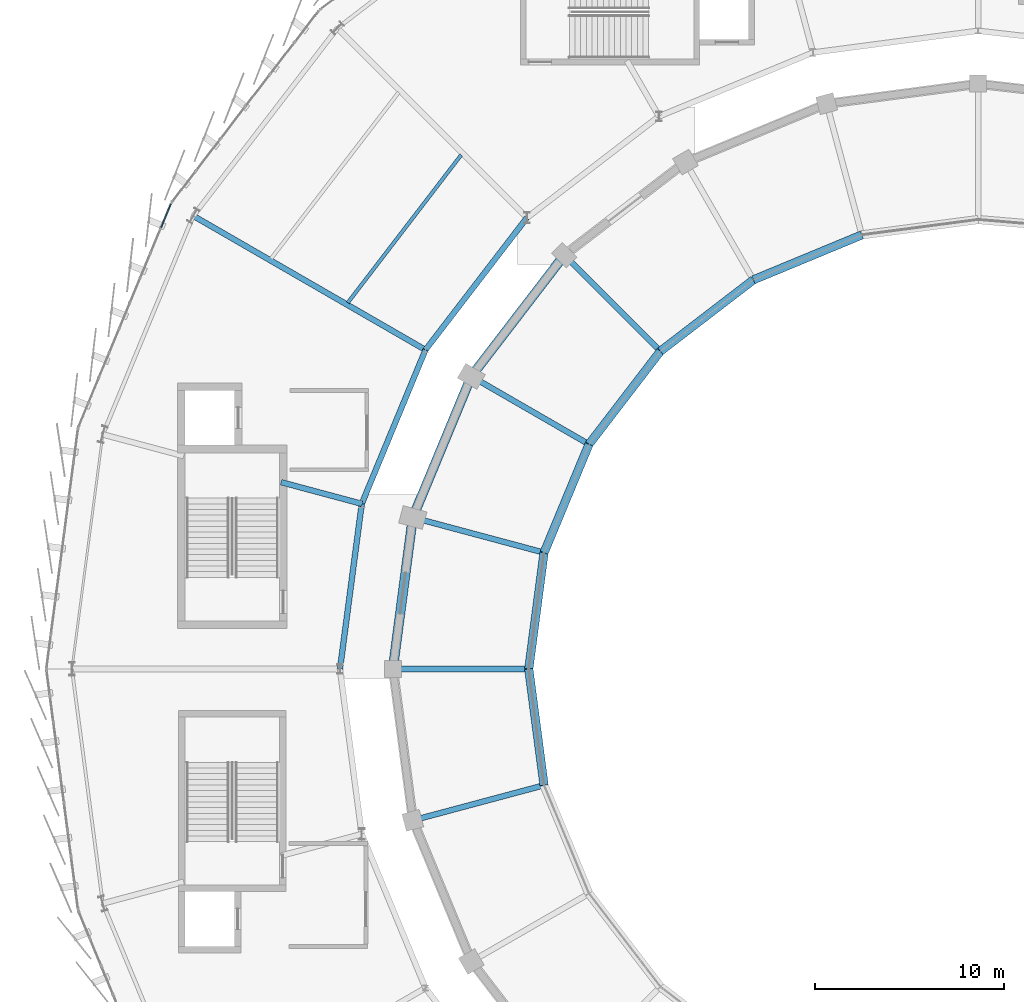
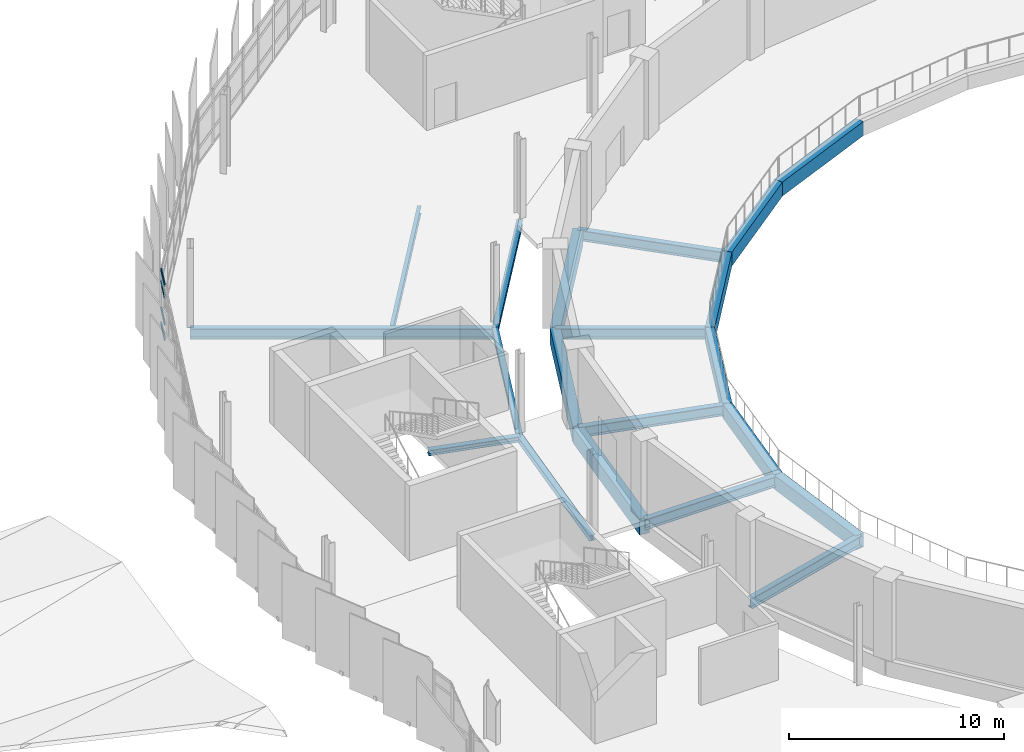
# One storey, part 29 of 87: 20 beams, 4 members, 1 element without a shape of its own.
"""IFC4 building model written with IfcOpenShell, lengths in metres."""

from ifc_helpers import new_model, si_unit, direction, frame, origin, origin_2d, place, context, subcontext, project, spatial, rectangle, i_section, extrude, material, layer, layer_set, material_profile, profile_set, type_object, element, aggregate, save


model = new_model("IFC4")

# Units and contexts
model_context = context("Model", 3, precision=1e-05, world=origin(), true_north=direction((0.0, 1.0)))
body_context = subcontext(model_context, "Body", "Model", "MODEL_VIEW")
ifc_project = project(units=[si_unit("LENGTHUNIT", "METRE"), si_unit("AREAUNIT", "SQUARE_METRE"), si_unit("VOLUMEUNIT", "CUBIC_METRE"), si_unit("PLANEANGLEUNIT", "RADIAN"), si_unit("MASSUNIT", "GRAM", prefix="KILO")], contexts=[model_context])

# Site, building, storey
site_placement = place(None, origin())
site = spatial("IfcSite", under=ifc_project, at=site_placement, CompositionType="ELEMENT")
building_placement = place(site_placement, origin())
building = spatial("IfcBuilding", under=site, at=building_placement, Name="Sohan Crest Arena", CompositionType="ELEMENT")
storey_placement = place(building_placement, frame((0.0, 0.0, 18.0)))
storey = spatial("IfcBuildingStorey", under=building, at=storey_placement, Name="L04", CompositionType="ELEMENT", Elevation=18.0)

# Curtain wall, members
ifc_material_1 = material(Name="Thermally broken anodised aluminium", Category="aluminium")
ifc_layer = layer(ifc_material_1, 0.18994140625, Name="Thermally broken anodised aluminium")
ifc_layer_set = layer_set([ifc_layer], Name="Thermally broken anodised aluminium")
curtain_wall_type = type_object("IfcCurtainWallType", Name="ARC-CW05", PredefinedType="NOTDEFINED", material=ifc_layer_set)
curtain_wall_placement = place(storey_placement, origin())
curtain_wall = element("IfcCurtainWall", 1, at=curtain_wall_placement, inside=storey, type_object=curtain_wall_type, Name="Unitised curtain wall CW-116", PredefinedType="NOTDEFINED")
ifc_material_profile_1 = material_profile(ifc_material_1, rectangle(XDim=0.06494140625, YDim=0.139892578125, at=origin_2d()), Name="ALU-TRAN 65x140")
ifc_profile_set_1 = profile_set([ifc_material_profile_1], Name="Thermally broken anodised aluminium")
member_type = type_object("IfcMemberType", Name="ARC-CW-TR02", PredefinedType="USERDEFINED", material=ifc_profile_set_1)
member_1_placement = place(storey_placement, frame((55.239013671875, 102.61962890625, 0.032470703125), z_axis=(-0.382753642759, -0.923850447288, 0.0), x_axis=(0.923850447288, -0.382753642759, 0.0)))
member_1 = element("IfcMember", 2, at=member_1_placement, type_object=member_type, Name="CW-116 transom 1.1", ObjectType="TRANSOM", PredefinedType="USERDEFINED", context=body_context, shape_type="SweptSolid", body=[
    extrude(rectangle(XDim=0.06494140625, YDim=0.139892578125, at=origin_2d()), origin(), (0.0, 0.0, 1.0), 1.34130859375),
])
member_2_placement = place(storey_placement, frame((55.239013671875, 102.61962890625, 0.89990234375), z_axis=(-0.382753642759, -0.923850447288, 0.0), x_axis=(0.923850447288, -0.382753642759, 0.0)))
member_2 = element("IfcMember", 3, at=member_2_placement, type_object=member_type, Name="CW-116 transom 1.2", ObjectType="TRANSOM", PredefinedType="USERDEFINED", context=body_context, shape_type="SweptSolid", body=[
    extrude(rectangle(XDim=0.06494140625, YDim=0.139892578125, at=origin_2d()), origin(), (0.0, 0.0, 1.0), 1.34130859375),
])
member_3_placement = place(storey_placement, frame((55.239013671875, 102.61962890625, 2.419921875), z_axis=(-0.382753642759, -0.923850447288, 0.0), x_axis=(0.923850447288, -0.382753642759, 0.0)))
member_3 = element("IfcMember", 4, at=member_3_placement, type_object=member_type, Name="CW-116 transom 1.3", ObjectType="TRANSOM", PredefinedType="USERDEFINED", context=body_context, shape_type="SweptSolid", body=[
    extrude(rectangle(XDim=0.06494140625, YDim=0.139892578125, at=origin_2d()), origin(), (0.0, 0.0, 1.0), 1.34130859375),
])
member_4_placement = place(storey_placement, frame((55.239013671875, 102.61962890625, 3.08740234375), z_axis=(-0.382753642759, -0.923850447288, 0.0), x_axis=(0.923850447288, -0.382753642759, 0.0)))
member_4 = element("IfcMember", 5, at=member_4_placement, type_object=member_type, Name="CW-116 transom 1.4", ObjectType="TRANSOM", PredefinedType="USERDEFINED", context=body_context, shape_type="SweptSolid", body=[
    extrude(rectangle(XDim=0.06494140625, YDim=0.139892578125, at=origin_2d()), origin(), (0.0, 0.0, 1.0), 1.34130859375),
])
aggregate(curtain_wall, [member_1, member_2, member_3, member_4])

# Beams
ifc_material_2 = material(Name="Steel S355", Category="steel")
ifc_material_profile_2 = material_profile(ifc_material_2, i_section(OverallWidth=0.18994140625, OverallDepth=0.449951171875, WebThickness=0.009521484375, FlangeThickness=0.0146484375, at=origin_2d()), Name="IPE 450")
ifc_profile_set_2 = profile_set([ifc_material_profile_2], Name="Steel S355")
beam_type_1 = type_object("IfcBeamType", Name="STR-BM-B04", PredefinedType="JOIST", material=ifc_profile_set_2)
beam_1_placement = place(storey_placement, frame((70.618896484375, 105.22705078125, -0.47509765625), z_axis=(-0.608739091659, -0.793370479843, 0.0), x_axis=(0.793370479843, -0.608739091659, 0.0)))
element("IfcBeam", 6, at=beam_1_placement, inside=storey, type_object=beam_type_1, Name="Structural beam J-L04-1568", PredefinedType="JOIST", context=body_context, shape_type="SweptSolid", body=[
    extrude(i_section(OverallWidth=0.18994140625, OverallDepth=0.449951171875, WebThickness=0.009521484375, FlangeThickness=0.0146484375, at=origin_2d()), origin(), (0.0, 0.0, 1.0), 9.864501953125),
])
ifc_material_profile_3 = material_profile(ifc_material_2, i_section(OverallWidth=0.300048828125, OverallDepth=0.590087890625, WebThickness=0.012939453125, FlangeThickness=0.02490234375, at=origin_2d()), Name="HEA 600")
ifc_profile_set_3 = profile_set([ifc_material_profile_3], Name="Steel S355")
beam_type_2 = type_object("IfcBeamType", Name="STR-BM-B11", PredefinedType="BEAM", material=ifc_profile_set_3)
beam_2_placement = place(storey_placement, frame((81.1708984375, 94.8291015625, -0.544921875), z_axis=(-0.707106781187, 0.707106781187, 0.0), x_axis=(-0.707106781187, -0.707106781187, 0.0)))
element("IfcBeam", 7, at=beam_2_placement, inside=storey, type_object=beam_type_2, Name="Structural beam G-L04-0144", PredefinedType="BEAM", context=body_context, shape_type="SweptSolid", body=[
    extrude(i_section(OverallWidth=0.300048828125, OverallDepth=0.590087890625, WebThickness=0.012939453125, FlangeThickness=0.02490234375, at=origin_2d()), origin(), (0.0, 0.0, 1.0), 7.199462890625),
])
beam_3_placement = place(storey_placement, frame((77.388916015625, 89.89990234375, -0.544921875), z_axis=(-0.866035395735, 0.499982693035, 0.0), x_axis=(-0.499982693035, -0.866035395735, 0.0)))
element("IfcBeam", 8, at=beam_3_placement, inside=storey, type_object=beam_type_2, Name="Structural beam G-L04-0166", PredefinedType="BEAM", context=body_context, shape_type="SweptSolid", body=[
    extrude(i_section(OverallWidth=0.300048828125, OverallDepth=0.590087890625, WebThickness=0.012939453125, FlangeThickness=0.02490234375, at=origin_2d()), origin(), (0.0, 0.0, 1.0), 7.200439453125),
])
beam_4_placement = place(storey_placement, frame((75.010986328125, 84.159912109375, -0.544921875), z_axis=(-0.965945630245, 0.258745124417, 0.0), x_axis=(-0.258745124417, -0.965945630245, 0.0)))
element("IfcBeam", 9, at=beam_4_placement, inside=storey, type_object=beam_type_2, Name="Structural beam G-L04-0188", PredefinedType="BEAM", context=body_context, shape_type="SweptSolid", body=[
    extrude(i_section(OverallWidth=0.300048828125, OverallDepth=0.590087890625, WebThickness=0.012939453125, FlangeThickness=0.02490234375, at=origin_2d()), origin(), (0.0, 0.0, 1.0), 7.2001953125),
])
beam_5_placement = place(storey_placement, frame((74.199951171875, 78.0, -0.544921875), z_axis=(-1.0, 0.0, 0.0), x_axis=(0.0, -1.0, 0.0)))
element("IfcBeam", 10, at=beam_5_placement, inside=storey, type_object=beam_type_2, Name="Structural beam G-L04-0210", PredefinedType="BEAM", context=body_context, shape_type="SweptSolid", body=[
    extrude(i_section(OverallWidth=0.300048828125, OverallDepth=0.590087890625, WebThickness=0.012939453125, FlangeThickness=0.02490234375, at=origin_2d()), origin(), (0.0, 0.0, 1.0), 7.199951171875),
])
beam_6_placement = place(storey_placement, frame((75.010986328125, 71.840087890625, -0.544921875), z_axis=(-0.965945630245, -0.258745124417, 0.0), x_axis=(0.258745124417, -0.965945630245, 0.0)))
element("IfcBeam", 11, at=beam_6_placement, inside=storey, type_object=beam_type_2, Name="Structural beam G-L04-0232", PredefinedType="BEAM", context=body_context, shape_type="SweptSolid", body=[
    extrude(i_section(OverallWidth=0.300048828125, OverallDepth=0.590087890625, WebThickness=0.012939453125, FlangeThickness=0.02490234375, at=origin_2d()), origin(), (0.0, 0.0, 1.0), 7.2001953125),
])
beam_7_placement = place(storey_placement, frame((68.72802734375, 94.89990234375, -0.544921875), z_axis=(-0.86601465089, 0.500018624098, 0.0), x_axis=(-0.500018624098, -0.86601465089, 0.0)))
element("IfcBeam", 12, at=beam_7_placement, inside=storey, type_object=beam_type_2, Name="Structural beam G-L04-1570", PredefinedType="BEAM", context=body_context, shape_type="SweptSolid", body=[
    extrude(i_section(OverallWidth=0.300048828125, OverallDepth=0.590087890625, WebThickness=0.012939453125, FlangeThickness=0.02490234375, at=origin_2d()), origin(), (0.0, 0.0, 1.0), 14.19970703125),
])
ifc_material_profile_4 = material_profile(ifc_material_2, i_section(OverallWidth=0.300048828125, OverallDepth=0.300048828125, WebThickness=0.010986328125, FlangeThickness=0.01904296875, at=origin_2d()), Name="HEB 300")
ifc_profile_set_4 = profile_set([ifc_material_profile_4], Name="Steel S355")
beam_type_3 = type_object("IfcBeamType", Name="STR-BM-B12", PredefinedType="BEAM", material=ifc_profile_set_4)
beam_8_placement = place(storey_placement, frame((74.10009765625, 101.89990234375, -0.39990234375), z_axis=(-0.608817165336, -0.793310569192, 0.0), x_axis=(0.793310569192, -0.608817165336, 0.0)))
element("IfcBeam", 13, at=beam_8_placement, inside=storey, type_object=beam_type_3, Name="Structural beam G-L04-1566", PredefinedType="BEAM", context=body_context, shape_type="SweptSolid", body=[
    extrude(i_section(OverallWidth=0.300048828125, OverallDepth=0.300048828125, WebThickness=0.010986328125, FlangeThickness=0.01904296875, at=origin_2d()), origin(), (0.0, 0.0, 1.0), 8.82373046875),
])
beam_9_placement = place(storey_placement, frame((68.72802734375, 94.89990234375, -0.39990234375), z_axis=(-0.38262224111, -0.923904876385, 0.0), x_axis=(0.923904876385, -0.38262224111, 0.0)))
element("IfcBeam", 14, at=beam_9_placement, inside=storey, type_object=beam_type_3, Name="Structural beam G-L04-1571", PredefinedType="BEAM", context=body_context, shape_type="SweptSolid", body=[
    extrude(i_section(OverallWidth=0.300048828125, OverallDepth=0.300048828125, WebThickness=0.010986328125, FlangeThickness=0.01904296875, at=origin_2d()), origin(), (0.0, 0.0, 1.0), 8.8232421875),
])
beam_10_placement = place(storey_placement, frame((65.35205078125, 86.748046875, -0.39990234375), z_axis=(-0.965906157738, 0.258892437981, 0.0), x_axis=(-0.258892437981, -0.965906157738, 0.0)))
element("IfcBeam", 15, at=beam_10_placement, inside=storey, type_object=beam_type_3, Name="Structural beam G-L04-1573", PredefinedType="BEAM", context=body_context, shape_type="SweptSolid", body=[
    extrude(i_section(OverallWidth=0.300048828125, OverallDepth=0.300048828125, WebThickness=0.010986328125, FlangeThickness=0.01904296875, at=origin_2d()), origin(), (0.0, 0.0, 1.0), 4.4228515625),
])
beam_11_placement = place(storey_placement, frame((65.35205078125, 86.748046875, -0.39990234375), z_axis=(-0.130570461953, -0.991439032147, 0.0), x_axis=(0.991439032147, -0.130570461953, 0.0)))
element("IfcBeam", 16, at=beam_11_placement, inside=storey, type_object=beam_type_3, Name="Structural beam G-L04-1575", PredefinedType="BEAM", context=body_context, shape_type="SweptSolid", body=[
    extrude(i_section(OverallWidth=0.300048828125, OverallDepth=0.300048828125, WebThickness=0.010986328125, FlangeThickness=0.01904296875, at=origin_2d()), origin(), (0.0, 0.0, 1.0), 8.823486328125),
])
ifc_material_3 = material(Name="Concrete C40/50", Category="concrete")
ifc_material_profile_5 = material_profile(ifc_material_3, rectangle(XDim=0.449951171875, YDim=0.800048828125, at=origin_2d()), Name="RC-BM 450x800")
ifc_profile_set_5 = profile_set([ifc_material_profile_5], Name="Concrete C40/50")
beam_type_4 = type_object("IfcBeamType", Name="STR-BM-TB02", PredefinedType="BEAM", material=ifc_profile_set_5)
beam_12_placement = place(storey_placement, frame((91.840087890625, 100.989013671875, -0.64990234375), z_axis=(-0.92385973493, -0.382731224457, 0.0), x_axis=(0.382731224457, -0.92385973493, 0.0)))
element("IfcBeam", 17, at=beam_12_placement, inside=storey, type_object=beam_type_4, Name="Structural beam TB-L04-0098", PredefinedType="BEAM", context=body_context, shape_type="SweptSolid", body=[
    extrude(rectangle(XDim=0.449951171875, YDim=0.800048828125, at=origin_2d()), origin(), (0.0, 0.0, 1.0), 6.213134765625),
])
for number, where, z_axis, x_axis, name in (
    (18, (86.10009765625, 98.611083984375, -0.64990234375), (-0.793378616602, -0.608728486864, 0.0), (0.608728486864, -0.793378616602, 0.0), "Structural beam TB-L04-0120"),
    (19, (81.1708984375, 94.8291015625, -0.64990234375), (-0.608728486864, -0.793378616602, 0.0), (0.793378616602, -0.608728486864, 0.0), "Structural beam TB-L04-0142"),
):
    element("IfcBeam", number, at=place(storey_placement, frame(where, z_axis=z_axis, x_axis=x_axis)), inside=storey, type_object=beam_type_4, Name=name, PredefinedType="BEAM", context=body_context, shape_type="SweptSolid", body=[
        extrude(rectangle(XDim=0.449951171875, YDim=0.800048828125, at=origin_2d()), origin(), (0.0, 0.0, 1.0), 6.212890625),
    ])
for number, where, z_axis, x_axis, name in (
    (20, (77.388916015625, 89.89990234375, -0.64990234375), (-0.382731224457, -0.92385973493, 0.0), (0.92385973493, -0.382731224457, 0.0), "Structural beam TB-L04-0164"),
    (21, (75.010986328125, 84.159912109375, -0.64990234375), (-0.130536846329, -0.991443458676, 0.0), (0.991443458676, -0.130536846329, 0.0), "Structural beam TB-L04-0186"),
    (22, (74.199951171875, 78.0, -0.64990234375), (0.130536846329, -0.991443458676, 0.0), (0.991443458676, 0.130536846329, 0.0), "Structural beam TB-L04-0208"),
):
    element("IfcBeam", number, at=place(storey_placement, frame(where, z_axis=z_axis, x_axis=x_axis)), inside=storey, type_object=beam_type_4, Name=name, PredefinedType="BEAM", context=body_context, shape_type="SweptSolid", body=[
        extrude(rectangle(XDim=0.449951171875, YDim=0.800048828125, at=origin_2d()), origin(), (0.0, 0.0, 1.0), 6.213134765625),
    ])
ifc_material_profile_6 = material_profile(ifc_material_3, rectangle(XDim=0.5, YDim=0.89990234375, at=origin_2d()), Name="RC-BM 500x900")
ifc_profile_set_6 = profile_set([ifc_material_profile_6], Name="Concrete C40/50")
beam_type_5 = type_object("IfcBeamType", Name="STR-BM-TB03", PredefinedType="BEAM", material=ifc_profile_set_6)
beam_13_placement = place(storey_placement, frame((76.080078125, 99.919921875, -0.699951171875), z_axis=(-0.608825408167, -0.793304243257, 0.0), x_axis=(0.793304243257, -0.608825408167, 0.0)))
element("IfcBeam", 23, at=beam_13_placement, inside=storey, type_object=beam_type_5, Name="Structural beam TB-L04-0143", PredefinedType="BEAM", context=body_context, shape_type="SweptSolid", body=[
    extrude(rectangle(XDim=0.5, YDim=0.89990234375, at=origin_2d()), origin(), (0.0, 0.0, 1.0), 8.092529296875),
])
beam_14_placement = place(storey_placement, frame((71.153076171875, 93.5, -0.699951171875), z_axis=(-0.382691039498, -0.923876381497, 0.0), x_axis=(0.923876381497, -0.382691039498, 0.0)))
element("IfcBeam", 24, at=beam_14_placement, inside=storey, type_object=beam_type_5, Name="Structural beam TB-L04-0165", PredefinedType="BEAM", context=body_context, shape_type="SweptSolid", body=[
    extrude(rectangle(XDim=0.5, YDim=0.89990234375, at=origin_2d()), origin(), (0.0, 0.0, 1.0), 8.093017578125),
])
beam_15_placement = place(storey_placement, frame((68.055908203125, 86.02294921875, -0.699951171875), z_axis=(-0.130485730048, -0.99145018748, 0.0), x_axis=(0.99145018748, -0.130485730048, 0.0)))
element("IfcBeam", 25, at=beam_15_placement, inside=storey, type_object=beam_type_5, Name="Structural beam TB-L04-0187", PredefinedType="BEAM", context=body_context, shape_type="SweptSolid", body=[
    extrude(rectangle(XDim=0.5, YDim=0.89990234375, at=origin_2d()), origin(), (0.0, 0.0, 1.0), 8.092041015625),
])

save(model, "model.ifc")
